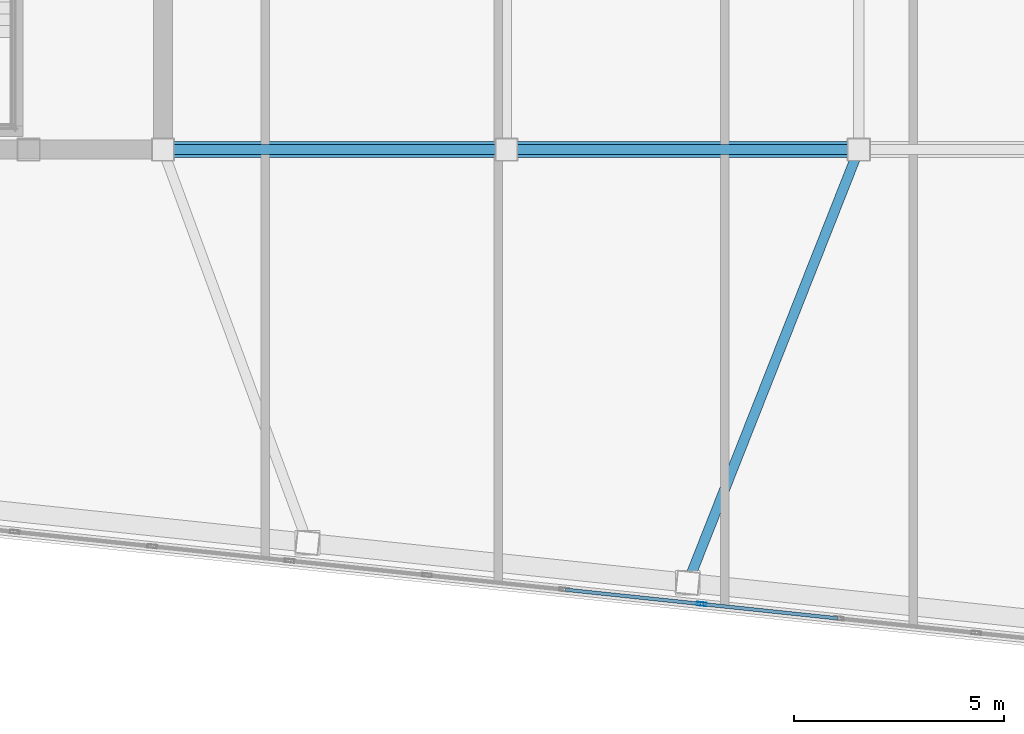
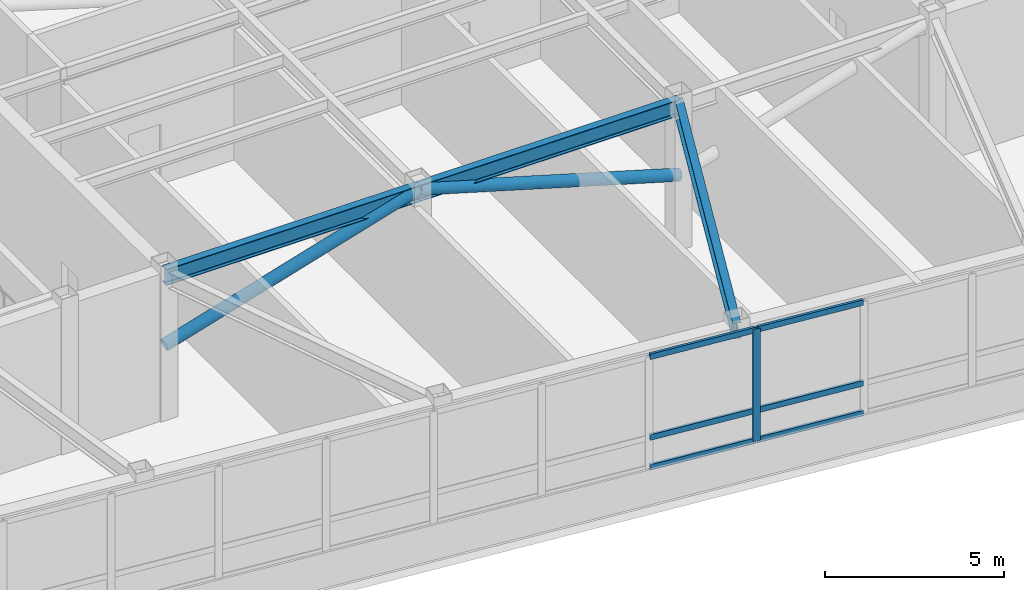
# One storey, part 5 of 23: 9 members, 3 beams, 1 element without a shape of its own.
"""IFC4 building model written with IfcOpenShell, lengths in metres."""

from ifc_helpers import new_model, si_unit, direction, frame, origin, origin_2d, place, context, subcontext, project, spatial, hollow_rectangle, hollow_circle, i_section, extrude, material, layer, layer_set, material_profile, profile_set, type_object, element, aggregate, save


model = new_model("IFC4")

# Units and contexts
model_context = context("Model", 3, precision=1e-05, world=origin(), true_north=direction((0.0, 1.0)))
body_context = subcontext(model_context, "Body", "Model", "MODEL_VIEW")
ifc_project = project(units=[si_unit("LENGTHUNIT", "METRE"), si_unit("AREAUNIT", "SQUARE_METRE"), si_unit("VOLUMEUNIT", "CUBIC_METRE"), si_unit("PLANEANGLEUNIT", "RADIAN"), si_unit("MASSUNIT", "GRAM", prefix="KILO")], contexts=[model_context])

# Site, building, storey
site_placement = place(None, origin())
site = spatial("IfcSite", under=ifc_project, at=site_placement, CompositionType="ELEMENT")
building_placement = place(site_placement, origin())
building = spatial("IfcBuilding", under=site, at=building_placement, Name="Voryun Gate Residences", CompositionType="ELEMENT")
storey_placement = place(building_placement, frame((0.0, 0.0, 326.60009765625)))
storey = spatial("IfcBuildingStorey", under=building, at=storey_placement, Name="L80", CompositionType="ELEMENT", Elevation=326.60009765625)

# Beams
ifc_material_1 = material(Name="Steel SM355", Category="steel")
ifc_material_profile_1 = material_profile(ifc_material_1, i_section(OverallWidth=0.239990234375, OverallDepth=0.550048828125, WebThickness=0.011962890625, FlangeThickness=0.02001953125, FilletRadius=0.01806640625, at=origin_2d()), Name="H-550x240x12x20")
ifc_profile_set_1 = profile_set([ifc_material_profile_1], Name="Steel SM355")
beam_type = type_object("IfcBeamType", Name="BM_GIRD_550", PredefinedType="USERDEFINED", material=ifc_profile_set_1)
beam_1_placement = place(storey_placement, frame((-12.39990234375, -7.39990234375, 4.75), z_axis=(1.0, 0.0, 0.0), x_axis=(0.0, 1.0, 0.0)))
element("IfcBeam", 1, at=beam_1_placement, inside=storey, type_object=beam_type, Name="BM-L80-SPG1-S", ObjectType="GIRDER", PredefinedType="USERDEFINED", context=body_context, shape_type="SweptSolid", body=[
    extrude(i_section(OverallWidth=0.239990234375, OverallDepth=0.550048828125, WebThickness=0.011962890625, FlangeThickness=0.02001953125, FilletRadius=0.01806640625, at=origin_2d()), origin(), (0.0, 0.0, 1.0), 8.199951171875),
])
beam_2_placement = place(storey_placement, frame((-4.199951171875, -7.39990234375, 4.75), z_axis=(1.0, 0.0, 0.0), x_axis=(0.0, 1.0, 0.0)))
element("IfcBeam", 2, at=beam_2_placement, inside=storey, type_object=beam_type, Name="BM-L80-SPG2-S", ObjectType="GIRDER", PredefinedType="USERDEFINED", context=body_context, shape_type="SweptSolid", body=[
    extrude(i_section(OverallWidth=0.239990234375, OverallDepth=0.550048828125, WebThickness=0.011962890625, FlangeThickness=0.02001953125, FilletRadius=0.01806640625, at=origin_2d()), origin(), (0.0, 0.0, 1.0), 8.39990234375),
])
beam_3_placement = place(storey_placement, frame((4.199951171875, -7.39990234375, 4.75), z_axis=(-0.367188053127, -0.930146726942, 0.0), x_axis=(0.930146726942, -0.367188053127, 0.0)))
element("IfcBeam", 3, at=beam_3_placement, inside=storey, type_object=beam_type, Name="BM-L80-RAD-S4", ObjectType="GIRDER", PredefinedType="USERDEFINED", context=body_context, shape_type="SweptSolid", body=[
    extrude(i_section(OverallWidth=0.239990234375, OverallDepth=0.550048828125, WebThickness=0.011962890625, FlangeThickness=0.02001953125, FilletRadius=0.01806640625, at=origin_2d()), origin(), (0.0, 0.0, 1.0), 11.107666015625),
])

# Curtain wall, members
ifc_material_2 = material(Name="Anodised aluminium", Category="aluminium")
ifc_layer = layer(ifc_material_2, 0.22998046875, Name="CW_SYS_LANTERN_DARK_GLASS")
ifc_layer_set = layer_set([ifc_layer], Name="Anodised aluminium")
curtain_wall_type = type_object("IfcCurtainWallType", Name="CW_SYS_LANTERN_DARK_GLASS", PredefinedType="NOTDEFINED", material=ifc_layer_set)
curtain_wall_placement = place(storey_placement, origin())
curtain_wall = element("IfcCurtainWall", 4, at=curtain_wall_placement, inside=storey, type_object=curtain_wall_type, Name="Curtain wall CW6-L80-01", PredefinedType="NOTDEFINED")
ifc_material_3 = material(Name="Anodised aluminium", Category="aluminium")
ifc_material_profile_2 = material_profile(ifc_material_3, hollow_rectangle(XDim=0.0849609375, YDim=0.22998046875, WallThickness=0.006103515625, at=origin_2d()), Name="ALU-MULL-230x85x6")
ifc_profile_set_2 = profile_set([ifc_material_profile_2], Name="Anodised aluminium")
member_type_1 = type_object("IfcMemberType", Name="CW_MULL_LANT", PredefinedType="MULLION", material=ifc_profile_set_2)
member_1_placement = place(storey_placement, frame((0.452392578125, -18.239013671875, 1.18994140625), z_axis=(0.0, 0.0, 1.0), x_axis=(-0.10452775858, -0.994521969434, 0.0)))
member_1 = element("IfcMember", 5, at=member_1_placement, type_object=member_type_1, Name="CW6 mullion 6", PredefinedType="MULLION", context=body_context, shape_type="SweptSolid", body=[
    extrude(hollow_rectangle(XDim=0.0849609375, YDim=0.22998046875, WallThickness=0.006103515625, at=origin_2d()), origin(), (0.0, 0.0, 1.0), 3.8349609375),
])
ifc_material_4 = material(Name="Anodised aluminium", Category="aluminium")
ifc_material_profile_3 = material_profile(ifc_material_4, hollow_rectangle(XDim=0.0849609375, YDim=0.18994140625, WallThickness=0.006103515625, at=origin_2d()), Name="ALU-TRAN-190x85x6")
ifc_profile_set_3 = profile_set([ifc_material_profile_3], Name="Anodised aluminium")
member_type_2 = type_object("IfcMemberType", Name="CW_TRAN_LANT", PredefinedType="USERDEFINED", material=ifc_profile_set_3)
member_2_placement = place(storey_placement, frame((3.698974609375, -18.580322265625, 1.219970703125), z_axis=(-0.994520745033, 0.104539407398, 0.0), x_axis=(-0.104539407398, -0.994520745033, 0.0)))
member_2 = element("IfcMember", 6, at=member_2_placement, type_object=member_type_2, Name="CW6 transom 5.1", ObjectType="TRANSOM", PredefinedType="USERDEFINED", context=body_context, shape_type="SweptSolid", body=[
    extrude(hollow_rectangle(XDim=0.0849609375, YDim=0.18994140625, WallThickness=0.006103515625, at=origin_2d()), origin(), (0.0, 0.0, 1.0), 3.234619140625),
])
member_3_placement = place(storey_placement, frame((3.698974609375, -18.580322265625, 2.239990234375), z_axis=(-0.994520745033, 0.104539407398, 0.0), x_axis=(-0.104539407398, -0.994520745033, 0.0)))
member_3 = element("IfcMember", 7, at=member_3_placement, type_object=member_type_2, Name="CW6 transom 5.2", ObjectType="TRANSOM", PredefinedType="USERDEFINED", context=body_context, shape_type="SweptSolid", body=[
    extrude(hollow_rectangle(XDim=0.0849609375, YDim=0.18994140625, WallThickness=0.006103515625, at=origin_2d()), origin(), (0.0, 0.0, 1.0), 3.234619140625),
])
member_4_placement = place(storey_placement, frame((3.698974609375, -18.580322265625, 4.994873046875), z_axis=(-0.994520745033, 0.104539407398, 0.0), x_axis=(-0.104539407398, -0.994520745033, 0.0)))
member_4 = element("IfcMember", 8, at=member_4_placement, type_object=member_type_2, Name="CW6 transom 5.3", ObjectType="TRANSOM", PredefinedType="USERDEFINED", context=body_context, shape_type="SweptSolid", body=[
    extrude(hollow_rectangle(XDim=0.0849609375, YDim=0.18994140625, WallThickness=0.006103515625, at=origin_2d()), origin(), (0.0, 0.0, 1.0), 3.234619140625),
])
member_5_placement = place(storey_placement, frame((0.42236328125, -18.23583984375, 1.219970703125), z_axis=(-0.994520745033, 0.104539407398, 0.0), x_axis=(-0.104539407398, -0.994520745033, 0.0)))
member_5 = element("IfcMember", 9, at=member_5_placement, type_object=member_type_2, Name="CW6 transom 6.1", ObjectType="TRANSOM", PredefinedType="USERDEFINED", context=body_context, shape_type="SweptSolid", body=[
    extrude(hollow_rectangle(XDim=0.0849609375, YDim=0.18994140625, WallThickness=0.006103515625, at=origin_2d()), origin(), (0.0, 0.0, 1.0), 3.234619140625),
])
member_6_placement = place(storey_placement, frame((0.42236328125, -18.23583984375, 2.239990234375), z_axis=(-0.994520745033, 0.104539407398, 0.0), x_axis=(-0.104539407398, -0.994520745033, 0.0)))
member_6 = element("IfcMember", 10, at=member_6_placement, type_object=member_type_2, Name="CW6 transom 6.2", ObjectType="TRANSOM", PredefinedType="USERDEFINED", context=body_context, shape_type="SweptSolid", body=[
    extrude(hollow_rectangle(XDim=0.0849609375, YDim=0.18994140625, WallThickness=0.006103515625, at=origin_2d()), origin(), (0.0, 0.0, 1.0), 3.234619140625),
])
member_7_placement = place(storey_placement, frame((0.42236328125, -18.23583984375, 4.994873046875), z_axis=(-0.994520745033, 0.104539407398, 0.0), x_axis=(-0.104539407398, -0.994520745033, 0.0)))
member_7 = element("IfcMember", 11, at=member_7_placement, type_object=member_type_2, Name="CW6 transom 6.3", ObjectType="TRANSOM", PredefinedType="USERDEFINED", context=body_context, shape_type="SweptSolid", body=[
    extrude(hollow_rectangle(XDim=0.0849609375, YDim=0.18994140625, WallThickness=0.006103515625, at=origin_2d()), origin(), (0.0, 0.0, 1.0), 3.234619140625),
])
aggregate(curtain_wall, [member_1, member_2, member_3, member_4, member_5, member_6, member_7])

# Members
ifc_material_5 = material(Name="Steel SM355", Category="steel")
ifc_material_profile_4 = material_profile(ifc_material_5, hollow_circle(Radius=0.18994140625, WallThickness=0.01806640625, at=origin_2d()), Name="CHS-380x18")
ifc_profile_set_4 = profile_set([ifc_material_profile_4], Name="Steel SM355")
member_type_3 = type_object("IfcMemberType", Name="MBR_CROWN_DIAGRID", PredefinedType="BRACE", material=ifc_profile_set_4)
member_8_placement = place(storey_placement, frame((-12.39990234375, -7.39990234375, 2.3798828125), z_axis=(0.957662114733, 0.0, 0.287894553621), x_axis=(0.0, 1.0, 0.0)))
element("IfcMember", 12, at=member_8_placement, inside=storey, type_object=member_type_3, Name="L80 Lantern Spine Diagrid Brace 01", PredefinedType="BRACE", context=body_context, shape_type="SweptSolid", body=[
    extrude(hollow_circle(Radius=0.18994140625, WallThickness=0.01806640625, at=origin_2d()), origin(), (0.0, 0.0, 1.0), 8.5625),
])
member_9_placement = place(storey_placement, frame((4.199951171875, -7.39990234375, 2.3798828125), z_axis=(-0.959534525743, 0.0, 0.281591004663), x_axis=(0.0, -1.0, 0.0)))
element("IfcMember", 13, at=member_9_placement, inside=storey, type_object=member_type_3, Name="L80 Lantern Spine Diagrid Brace 02", PredefinedType="BRACE", context=body_context, shape_type="SweptSolid", body=[
    extrude(hollow_circle(Radius=0.18994140625, WallThickness=0.01806640625, at=origin_2d()), origin(), (0.0, 0.0, 1.0), 8.754150390625),
])

save(model, "model.ifc")
